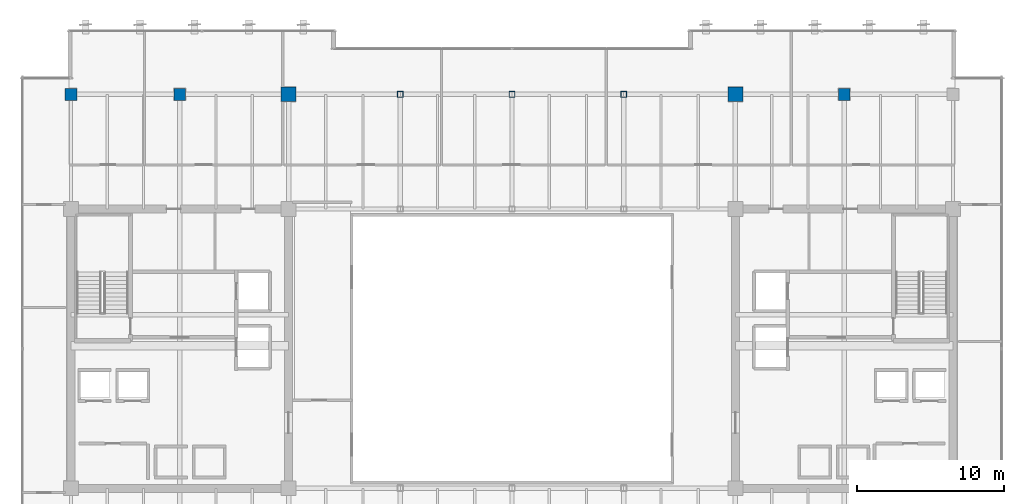
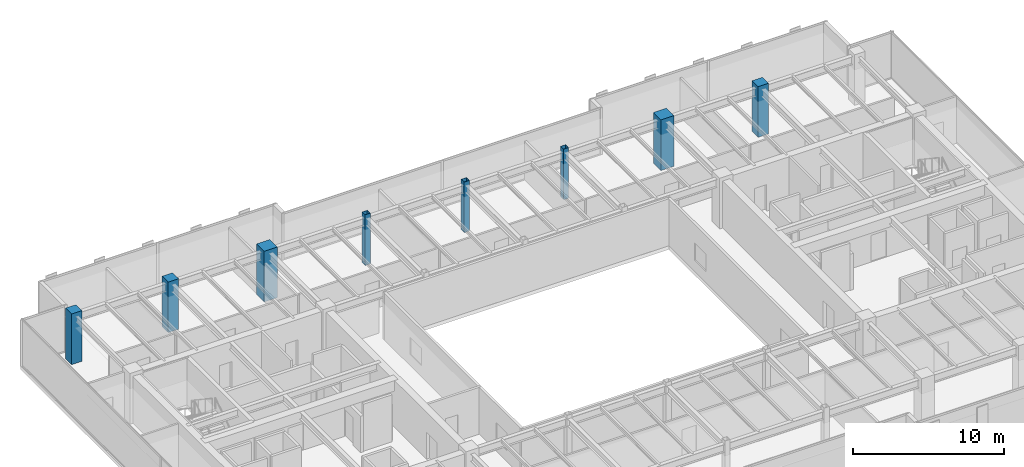
# One storey, part 3 of 35: 8 columns.
"""IFC4 building model written with IfcOpenShell, lengths in metres."""

from ifc_helpers import new_model, si_unit, direction, frame, origin, origin_2d, place, context, subcontext, project, spatial, rectangle, hollow_rectangle, extrude, source, transform, mapped, material, material_profile, profile_set, type_object, type_shapes, element, save


model = new_model("IFC4")

# Units and contexts
model_context = context("Model", 3, precision=1e-05, world=origin(), true_north=direction((0.0, 1.0)))
body_context = subcontext(model_context, "Body", "Model", "MODEL_VIEW")
ifc_project = project(units=[si_unit("LENGTHUNIT", "METRE"), si_unit("AREAUNIT", "SQUARE_METRE"), si_unit("VOLUMEUNIT", "CUBIC_METRE"), si_unit("PLANEANGLEUNIT", "RADIAN"), si_unit("MASSUNIT", "GRAM", prefix="KILO")], contexts=[model_context])

# Site, building, storey
site_placement = place(None, origin())
site = spatial("IfcSite", under=ifc_project, at=site_placement, CompositionType="ELEMENT")
building_placement = place(site_placement, origin())
building = spatial("IfcBuilding", under=site, at=building_placement, Name="Haelvirn Gate Laboratories", CompositionType="ELEMENT")
storey_placement = place(building_placement, frame((0.0, 0.0, 201.39990234375)))
storey = spatial("IfcBuildingStorey", under=building, at=storey_placement, Name="L48", CompositionType="ELEMENT", Elevation=201.39990234375)

# Columns
ifc_material_1 = material(Name="Concrete C60/75", Category="concrete")
ifc_material_profile_1 = material_profile(ifc_material_1, rectangle(XDim=1.0, YDim=1.0, at=origin_2d()), Name="RC-1000x1000")
ifc_profile_set_1 = profile_set([ifc_material_profile_1], Name="Concrete C60/75")
column_type_1 = type_object("IfcColumnType", Name="COL-RC-1000", PredefinedType="COLUMN", material=ifc_profile_set_1)
shared_shape_1 = source(origin(), body_context, "Body", "SweptSolid", [
    extrude(rectangle(XDim=1.0, YDim=1.0, at=origin_2d()), origin(), (0.0, 0.0, 1.0), 4.10009765625),
])
type_shapes(column_type_1, [shared_shape_1])
for number, where, z_axis, x_axis, name in (
    (1, (22.199951171875, 41.60009765625, 0.0), (0.0, 0.0, 1.0), (1.0, 0.0, 0.0), "L48 Column 4G"),
    (2, (52.60009765625, 41.60009765625, 0.0), (0.0, 0.0, 1.0), (1.0, 0.0, 0.0), "L48 Column 8G"),
):
    element("IfcColumn", number, at=place(storey_placement, frame(where, z_axis=z_axis, x_axis=x_axis)), inside=storey, type_object=column_type_1, Name=name, PredefinedType="COLUMN", context=body_context, shape_type="MappedRepresentation", body=[
        mapped(shared_shape_1, transform((0.0, 0.0, 0.0), scale=1.0)),
    ])
ifc_material_2 = material(Name="Concrete C50/60", Category="concrete")
ifc_material_profile_2 = material_profile(ifc_material_2, rectangle(XDim=0.800048828125, YDim=0.800048828125, at=origin_2d()), Name="RC-800x800")
ifc_profile_set_2 = profile_set([ifc_material_profile_2], Name="Concrete C50/60")
column_type_2 = type_object("IfcColumnType", Name="COL-RC-800", PredefinedType="COLUMN", material=ifc_profile_set_2)
shared_shape_2 = source(origin(), body_context, "Body", "SweptSolid", [
    extrude(rectangle(XDim=0.800048828125, YDim=0.800048828125, at=origin_2d()), origin(), (0.0, 0.0, 1.0), 4.10009765625),
])
type_shapes(column_type_2, [shared_shape_2])
for number, where, z_axis, x_axis, name in (
    (3, (14.800048828125, 41.60009765625, 0.0), (0.0, 0.0, 1.0), (1.0, 0.0, 0.0), "L48 Column 3G"),
    (4, (60.0, 41.60009765625, 0.0), (0.0, 0.0, 1.0), (1.0, 0.0, 0.0), "L48 Column 9G"),
    (5, (7.39990234375, 41.60009765625, 0.0), (0.0, 0.0, 1.0), (1.0, 0.0, 0.0), "L48 Column 2G"),
):
    element("IfcColumn", number, at=place(storey_placement, frame(where, z_axis=z_axis, x_axis=x_axis)), inside=storey, type_object=column_type_2, Name=name, PredefinedType="COLUMN", context=body_context, shape_type="MappedRepresentation", body=[
        mapped(shared_shape_2, transform((0.0, 0.0, 0.0), scale=1.0)),
    ])
ifc_material_3 = material(Name="Steel SM355", Category="steel")
ifc_material_profile_3 = material_profile(ifc_material_3, hollow_rectangle(XDim=0.39990234375, YDim=0.39990234375, WallThickness=0.01904296875, at=origin_2d()), Name="BOX-400x400x19")
ifc_profile_set_3 = profile_set([ifc_material_profile_3], Name="Steel SM355")
column_type_3 = type_object("IfcColumnType", Name="COL-BOX-400", PredefinedType="COLUMN", material=ifc_profile_set_3)
shared_shape_3 = source(origin(), body_context, "Body", "SweptSolid", [
    extrude(hollow_rectangle(XDim=0.39990234375, YDim=0.39990234375, WallThickness=0.01904296875, at=origin_2d()), origin(), (0.0, 0.0, 1.0), 4.10009765625),
])
type_shapes(column_type_3, [shared_shape_3])
for number, where, z_axis, x_axis, name in (
    (6, (29.800048828125, 41.60009765625, 0.0), (0.0, 0.0, 1.0), (1.0, 0.0, 0.0), "L48 Column 5G"),
    (7, (37.39990234375, 41.60009765625, 0.0), (0.0, 0.0, 1.0), (1.0, 0.0, 0.0), "L48 Column 6G"),
    (8, (45.0, 41.60009765625, 0.0), (0.0, 0.0, 1.0), (1.0, 0.0, 0.0), "L48 Column 7G"),
):
    element("IfcColumn", number, at=place(storey_placement, frame(where, z_axis=z_axis, x_axis=x_axis)), inside=storey, type_object=column_type_3, Name=name, PredefinedType="COLUMN", context=body_context, shape_type="MappedRepresentation", body=[
        mapped(shared_shape_3, transform((0.0, 0.0, 0.0), scale=1.0)),
    ])

save(model, "model.ifc")
